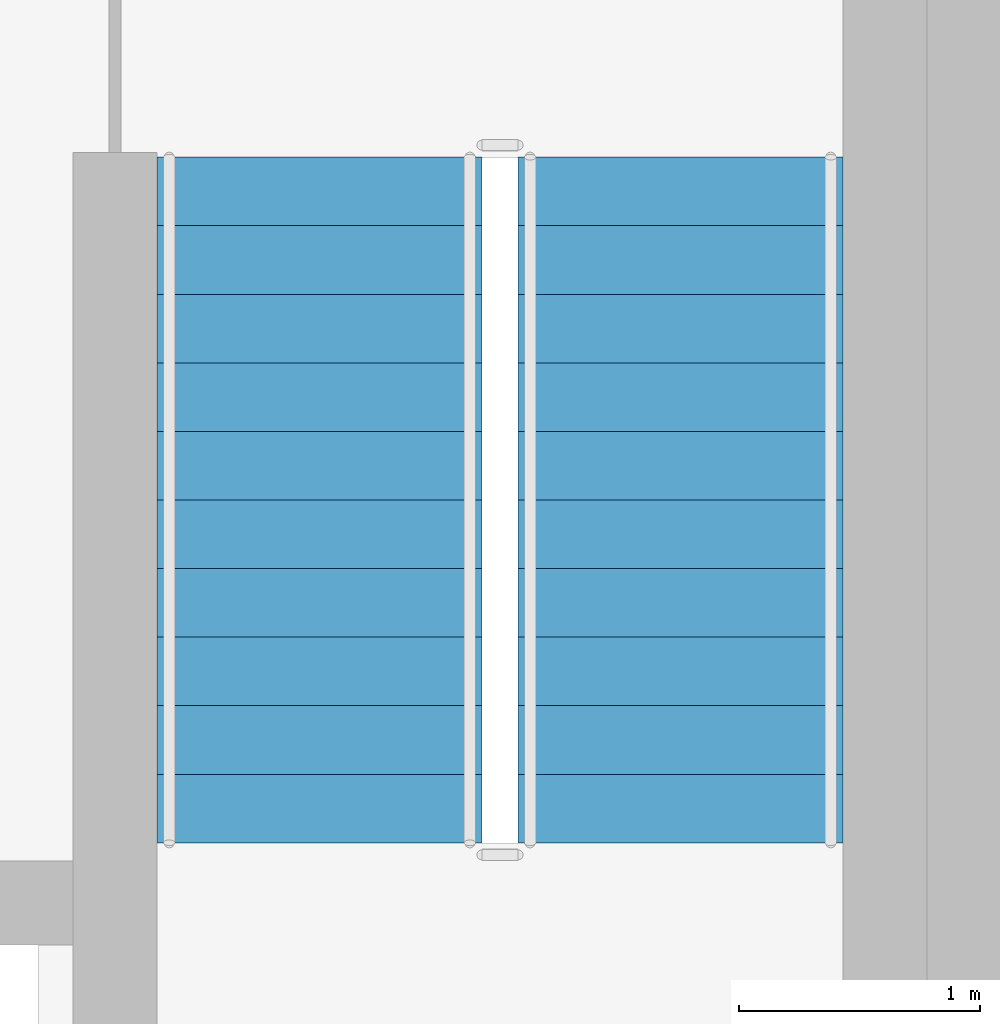
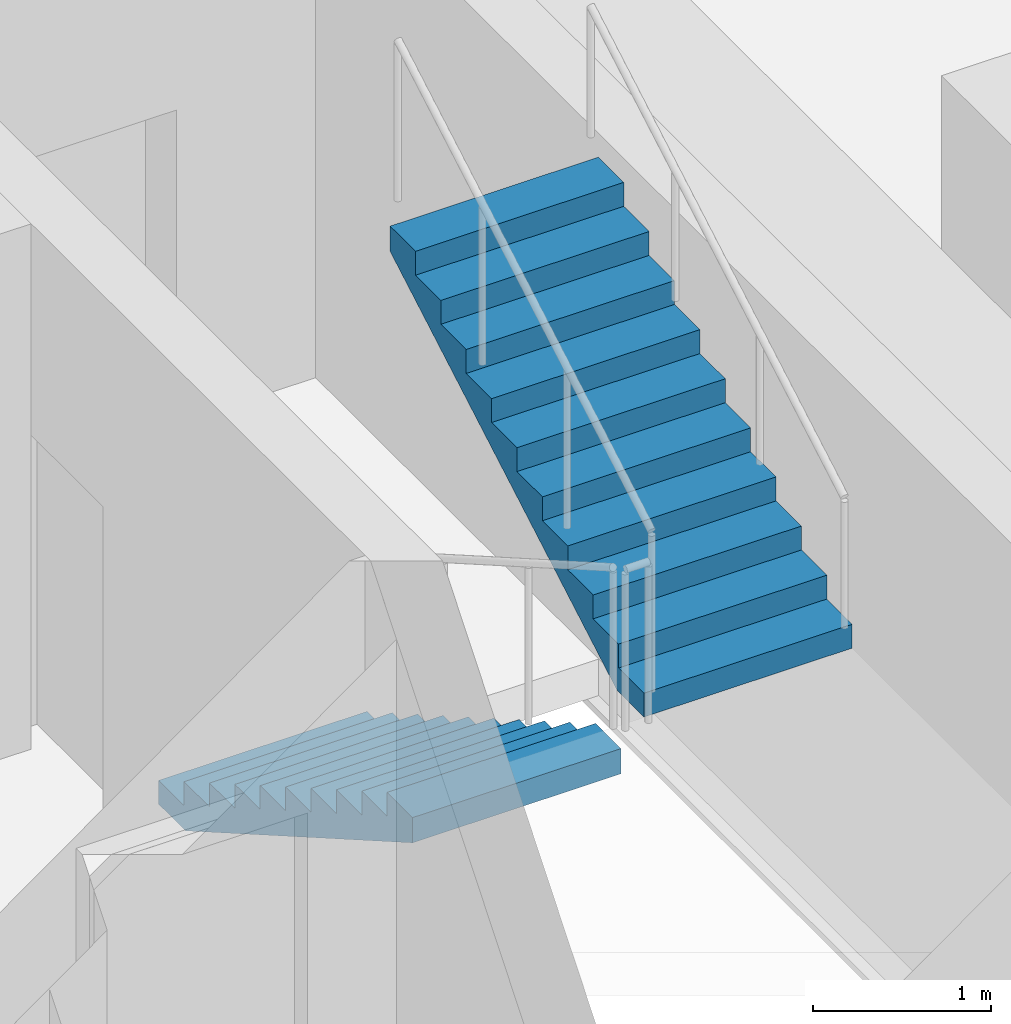
# One storey, part 10 of 12: 2 stair flights, 1 element without a shape of its own.
"""IFC4 building model written with IfcOpenShell, lengths in metres."""

from ifc_helpers import new_model, si_unit, direction, frame, origin, place, context, subcontext, project, spatial, polyline, outline, extrude, material, type_object, element, aggregate, save


model = new_model("IFC4")

# Units and contexts
model_context = context("Model", 3, precision=1e-05, world=origin(), true_north=direction((0.0, 1.0)))
body_context = subcontext(model_context, "Body", "Model", "MODEL_VIEW")
ifc_project = project(units=[si_unit("LENGTHUNIT", "METRE"), si_unit("AREAUNIT", "SQUARE_METRE"), si_unit("VOLUMEUNIT", "CUBIC_METRE"), si_unit("PLANEANGLEUNIT", "RADIAN"), si_unit("MASSUNIT", "GRAM", prefix="KILO")], contexts=[model_context])

# Site, building, storey
site_placement = place(None, origin())
site = spatial("IfcSite", under=ifc_project, at=site_placement, CompositionType="ELEMENT")
building_placement = place(site_placement, origin())
building = spatial("IfcBuilding", under=site, at=building_placement, Name="Almagre Mirador Tower", CompositionType="ELEMENT")
storey_placement = place(building_placement, frame((0.0, 0.0, 110.39990234375)))
storey = spatial("IfcBuildingStorey", under=building, at=storey_placement, Name="L27", CompositionType="ELEMENT", Elevation=110.39990234375)

# Stair, stair flights
ifc_material_1 = material(Name="Concrete C45/55", Category="concrete")
stair_type = type_object("IfcStairType", Name="STR-DL-3600", PredefinedType="HALF_TURN_STAIR", material=ifc_material_1)
stair_placement = place(storey_placement, origin())
stair = element("IfcStair", 1, at=stair_placement, inside=storey, type_object=stair_type, Name="L27 Protected exit stair ST-3", PredefinedType="HALF_TURN_STAIR")
ifc_material_2 = material(Name="Concrete C45/55", Category="concrete")
stair_flight_type = type_object("IfcStairFlightType", Name="FLT-DL-3600", PredefinedType="STRAIGHT", material=ifc_material_2)
stair_flight_1_placement = place(storey_placement, frame((44.14990234375, 11.199951171875, 0.0), z_axis=(0.0, 0.0, 1.0), x_axis=(0.0, -1.0, 0.0)))
stair_flight_1 = element("IfcStairFlight", 2, at=stair_flight_1_placement, type_object=stair_flight_type, Name="ST-3 flight 1", NumberOfRisers=11, NumberOfTreads=10, PredefinedType="STRAIGHT", RiserHeight=0.163636364, TreadLength=0.285, context=body_context, shape_type="SweptSolid", body=[
    extrude(outline(polyline([(0.0, 0.0), (0.0, 0.16357421875), (0.284912109375, 0.16357421875), (0.284912109375, 0.327392578125), (0.570068359375, 0.327392578125), (0.570068359375, 0.490966796875), (0.85498046875, 0.490966796875), (0.85498046875, 0.654541015625), (1.139892578125, 0.654541015625), (1.139892578125, 0.818115234375), (1.425048828125, 0.818115234375), (1.425048828125, 0.98193359375), (1.7099609375, 0.98193359375), (1.7099609375, 1.1455078125), (1.9951171875, 1.1455078125), (1.9951171875, 1.30908203125), (2.280029296875, 1.30908203125), (2.280029296875, 1.47265625), (2.56494140625, 1.47265625), (2.56494140625, 1.636474609375), (2.85009765625, 1.636474609375), (2.85009765625, 1.800048828125), (2.85009765625, 1.463623046875), (0.301025390625, 0.0), (0.0, 0.0)])), frame((0.0, 0.675048828125, 0.0), z_axis=(0.0, -1.0, 0.0), x_axis=(1.0, 0.0, 0.0)), (0.0, 0.0, 1.0), 1.35009765625),
])
stair_flight_2_placement = place(storey_placement, frame((45.64990234375, 8.35009765625, 1.800048828125), z_axis=(0.0, 0.0, 1.0), x_axis=(0.0, 1.0, 0.0)))
stair_flight_2 = element("IfcStairFlight", 3, at=stair_flight_2_placement, type_object=stair_flight_type, Name="ST-3 flight 2", NumberOfRisers=11, NumberOfTreads=10, PredefinedType="STRAIGHT", RiserHeight=0.163636364, TreadLength=0.285, context=body_context, shape_type="SweptSolid", body=[
    extrude(outline(polyline([(0.0, 0.0), (0.0, 0.16357421875), (0.284912109375, 0.16357421875), (0.284912109375, 0.327392578125), (0.570068359375, 0.327392578125), (0.570068359375, 0.490966796875), (0.85498046875, 0.490966796875), (0.85498046875, 0.654541015625), (1.139892578125, 0.654541015625), (1.139892578125, 0.818115234375), (1.425048828125, 0.818115234375), (1.425048828125, 0.98193359375), (1.7099609375, 0.98193359375), (1.7099609375, 1.1455078125), (1.9951171875, 1.1455078125), (1.9951171875, 1.30908203125), (2.280029296875, 1.30908203125), (2.280029296875, 1.47265625), (2.56494140625, 1.47265625), (2.56494140625, 1.636474609375), (2.85009765625, 1.636474609375), (2.85009765625, 1.800048828125), (2.85009765625, 1.463623046875), (0.301025390625, 0.0), (0.0, 0.0)])), frame((0.0, 0.675048828125, 0.0), z_axis=(0.0, -1.0, 0.0), x_axis=(1.0, 0.0, 0.0)), (0.0, 0.0, 1.0), 1.35009765625),
])
aggregate(stair, [stair_flight_1, stair_flight_2])

save(model, "model.ifc")
